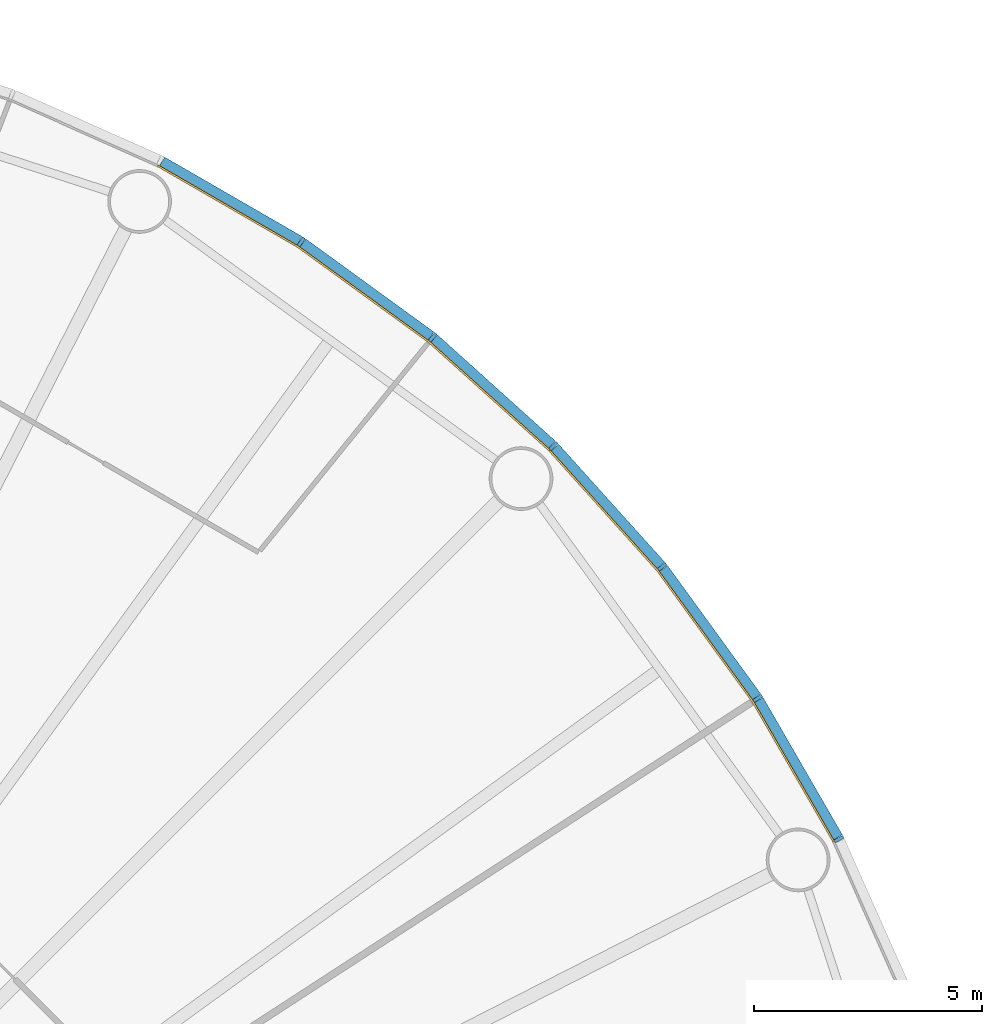
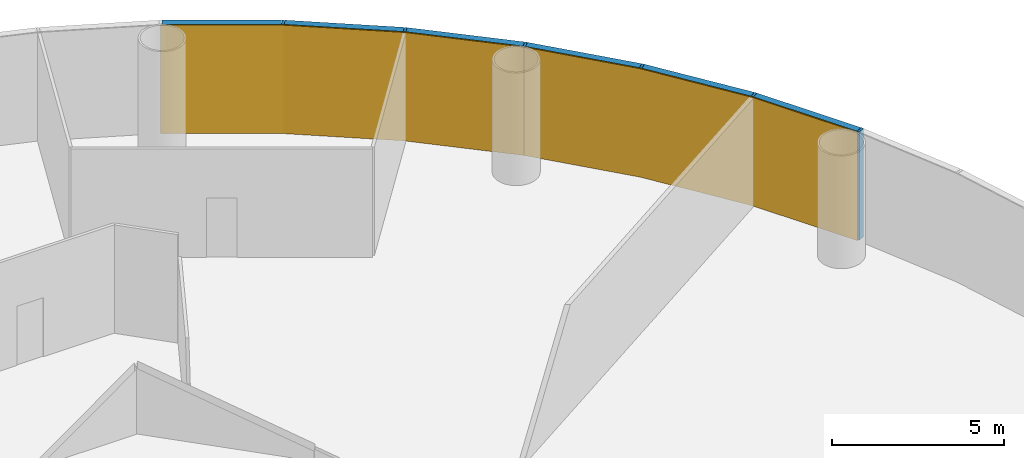
# One storey, part 10 of 13: 12 members, 2 curtain walls.
"""IFC4 building model written with IfcOpenShell, lengths in metres."""

from ifc_helpers import new_model, si_unit, direction, frame, origin, origin_2d, place, context, subcontext, project, spatial, polyline, rectangle, outline, extrude, material, layer, layer_set, material_profile, profile_set, type_object, element, aggregate, save


model = new_model("IFC4")

# Units and contexts
model_context = context("Model", 3, precision=1e-05, world=origin(), true_north=direction((0.0, 1.0)))
body_context = subcontext(model_context, "Body", "Model", "MODEL_VIEW")
ifc_project = project(units=[si_unit("LENGTHUNIT", "METRE"), si_unit("AREAUNIT", "SQUARE_METRE"), si_unit("VOLUMEUNIT", "CUBIC_METRE"), si_unit("PLANEANGLEUNIT", "RADIAN"), si_unit("MASSUNIT", "GRAM", prefix="KILO")], contexts=[model_context])

# Member
ifc_material_1 = material(Name="Anodised aluminium", Category="aluminium")
ifc_material_profile_1 = material_profile(ifc_material_1, rectangle(XDim=0.074951171875, YDim=0.219970703125, at=origin_2d()), Name="Mullion 75 x 220 mm anodised aluminium")
ifc_profile_set_1 = profile_set([ifc_material_profile_1], Name="Anodised aluminium")
member_type_1 = type_object("IfcMemberType", Name="Mullion 75 x 220 mm anodised aluminium", PredefinedType="MULLION", material=ifc_profile_set_1)
site_placement = place(None, origin())
building_placement = place(site_placement, origin())
storey_placement = place(building_placement, frame((0.0, 0.0, 30.0)))
member_1_placement = place(storey_placement, frame((120.392333984375, 95.485595703125, 0.0), z_axis=(0.0, 0.0, 1.0), x_axis=(-0.45399049974, 0.891006524188, 0.0)))
member_1 = element("IfcMember", 1, at=member_1_placement, type_object=member_type_1, Name="MULLION L05-03", PredefinedType="MULLION", context=body_context, shape_type="SweptSolid", body=[
    extrude(rectangle(XDim=0.074951171875, YDim=0.219970703125, at=origin_2d()), origin(), (0.0, 0.0, 1.0), 3.85009765625),
])

member_2_placement = place(storey_placement, frame((118.60693359375, 98.57763671875, 0.0), z_axis=(0.0, 0.0, 1.0), x_axis=(-0.544639035015, 0.838670567945, 0.0)))
member_2 = element("IfcMember", 2, at=member_2_placement, type_object=member_type_1, Name="MULLION L05-04", PredefinedType="MULLION", context=body_context, shape_type="SweptSolid", body=[
    extrude(rectangle(XDim=0.074951171875, YDim=0.219970703125, at=origin_2d()), origin(), (0.0, 0.0, 1.0), 3.85009765625),
])

member_3_placement = place(storey_placement, frame((116.508544921875, 101.466064453125, 0.0), z_axis=(0.0, 0.0, 1.0), x_axis=(-0.62932039105, 0.777145961457, 0.0)))
member_3 = element("IfcMember", 3, at=member_3_placement, type_object=member_type_1, Name="MULLION L05-05", PredefinedType="MULLION", context=body_context, shape_type="SweptSolid", body=[
    extrude(rectangle(XDim=0.074951171875, YDim=0.219970703125, at=origin_2d()), origin(), (0.0, 0.0, 1.0), 3.85009765625),
])

member_4_placement = place(storey_placement, frame((114.119384765625, 104.119384765625, 0.0), z_axis=(0.0, 0.0, 1.0), x_axis=(-0.707106781187, 0.707106781187, 0.0)))
member_4 = element("IfcMember", 4, at=member_4_placement, type_object=member_type_1, Name="MULLION L05-06", PredefinedType="MULLION", context=body_context, shape_type="SweptSolid", body=[
    extrude(rectangle(XDim=0.074951171875, YDim=0.219970703125, at=origin_2d()), origin(), (0.0, 0.0, 1.0), 3.85009765625),
])

member_5_placement = place(storey_placement, frame((111.466064453125, 106.508544921875, 0.0), z_axis=(0.0, 0.0, 1.0), x_axis=(-0.777145961457, 0.62932039105, 0.0)))
member_5 = element("IfcMember", 5, at=member_5_placement, type_object=member_type_1, Name="MULLION L05-07", PredefinedType="MULLION", context=body_context, shape_type="SweptSolid", body=[
    extrude(rectangle(XDim=0.074951171875, YDim=0.219970703125, at=origin_2d()), origin(), (0.0, 0.0, 1.0), 3.85009765625),
])

member_6_placement = place(storey_placement, frame((108.57763671875, 108.60693359375, 0.0), z_axis=(0.0, 0.0, 1.0), x_axis=(-0.838670567945, 0.544639035015, 0.0)))
member_6 = element("IfcMember", 6, at=member_6_placement, type_object=member_type_1, Name="MULLION L05-08", PredefinedType="MULLION", context=body_context, shape_type="SweptSolid", body=[
    extrude(rectangle(XDim=0.074951171875, YDim=0.219970703125, at=origin_2d()), origin(), (0.0, 0.0, 1.0), 3.85009765625),
])

ifc_material_2 = material(Name="Anodised aluminium", Category="aluminium")
ifc_material_profile_2 = material_profile(ifc_material_2, rectangle(XDim=0.219970703125, YDim=0.199951171875, at=origin_2d()), Name="Transom 200 x 220 mm anodised aluminium")
ifc_profile_set_2 = profile_set([ifc_material_profile_2], Name="Anodised aluminium")
member_type_2 = type_object("IfcMemberType", Name="Transom 200 x 220 mm anodised aluminium", PredefinedType="USERDEFINED", material=ifc_profile_set_2)
member_7_placement = place(storey_placement, frame((120.370849609375, 95.523193359375, 3.75), z_axis=(-0.500005538244, 0.866022206254, 0.0), x_axis=(-0.866022206254, -0.500005538244, 0.0)))
member_7 = element("IfcMember", 7, at=member_7_placement, type_object=member_type_2, Name="TRANSOM L05-03", ObjectType="TRANSOM", PredefinedType="USERDEFINED", context=body_context, shape_type="SweptSolid", body=[
    extrude(rectangle(XDim=0.219970703125, YDim=0.199951171875, at=origin_2d()), origin(), (0.0, 0.0, 1.0), 3.48388671875),
])

member_8_placement = place(storey_placement, frame((118.581787109375, 98.61279296875, 3.75), z_axis=(-0.587821627006, 0.80899056535, 0.0), x_axis=(-0.80899056535, -0.587821627006, 0.0)))
member_8 = element("IfcMember", 8, at=member_8_placement, type_object=member_type_2, Name="TRANSOM L05-04", ObjectType="TRANSOM", PredefinedType="USERDEFINED", context=body_context, shape_type="SweptSolid", body=[
    extrude(rectangle(XDim=0.219970703125, YDim=0.199951171875, at=origin_2d()), origin(), (0.0, 0.0, 1.0), 3.48388671875),
])

member_9_placement = place(storey_placement, frame((116.479736328125, 101.498291015625, 3.75), z_axis=(-0.669138930974, 0.743137329876, 0.0), x_axis=(-0.743137329876, -0.669138930974, 0.0)))
member_9 = element("IfcMember", 9, at=member_9_placement, type_object=member_type_2, Name="TRANSOM L05-05", ObjectType="TRANSOM", PredefinedType="USERDEFINED", context=body_context, shape_type="SweptSolid", body=[
    extrude(rectangle(XDim=0.219970703125, YDim=0.199951171875, at=origin_2d()), origin(), (0.0, 0.0, 1.0), 3.484130859375),
])

member_10_placement = place(storey_placement, frame((114.08740234375, 104.1484375, 3.75), z_axis=(-0.743137329876, 0.669138930974, 0.0), x_axis=(-0.669138930974, -0.743137329876, 0.0)))
member_10 = element("IfcMember", 10, at=member_10_placement, type_object=member_type_2, Name="TRANSOM L05-06", ObjectType="TRANSOM", PredefinedType="USERDEFINED", context=body_context, shape_type="SweptSolid", body=[
    extrude(rectangle(XDim=0.219970703125, YDim=0.199951171875, at=origin_2d()), origin(), (0.0, 0.0, 1.0), 3.484130859375),
])

member_11_placement = place(storey_placement, frame((111.43115234375, 106.533935546875, 3.75), z_axis=(-0.80899056535, 0.587821627006, 0.0), x_axis=(-0.587821627006, -0.80899056535, 0.0)))
member_11 = element("IfcMember", 11, at=member_11_placement, type_object=member_type_2, Name="TRANSOM L05-07", ObjectType="TRANSOM", PredefinedType="USERDEFINED", context=body_context, shape_type="SweptSolid", body=[
    extrude(rectangle(XDim=0.219970703125, YDim=0.199951171875, at=origin_2d()), origin(), (0.0, 0.0, 1.0), 3.48388671875),
])

member_12_placement = place(storey_placement, frame((108.540283203125, 108.62890625, 3.75), z_axis=(-0.866022206254, 0.500005538244, 0.0), x_axis=(-0.500005538244, -0.866022206254, 0.0)))
member_12 = element("IfcMember", 12, at=member_12_placement, type_object=member_type_2, Name="TRANSOM L05-08", ObjectType="TRANSOM", PredefinedType="USERDEFINED", context=body_context, shape_type="SweptSolid", body=[
    extrude(rectangle(XDim=0.219970703125, YDim=0.199951171875, at=origin_2d()), origin(), (0.0, 0.0, 1.0), 3.48388671875),
])

# Site, building, storey
site = spatial("IfcSite", under=ifc_project, at=site_placement, CompositionType="ELEMENT")
building = spatial("IfcBuilding", under=site, at=building_placement, Name="Entoto Ring Tower", CompositionType="ELEMENT")
storey = spatial("IfcBuildingStorey", under=building, at=storey_placement, Name="L05", CompositionType="ELEMENT", Elevation=30.0)

# Curtain wall
ifc_material_3 = material(Name="Clear low-iron glass", Category="glass")
ifc_layer = layer(ifc_material_3, 0.0400390625)
ifc_layer_set = layer_set([ifc_layer], Name="Clear low-iron glass")
curtain_wall_type = type_object("IfcCurtainWallType", Name="Curtain wall system CW1 glazing 40 mm", PredefinedType="NOTDEFINED", material=ifc_layer_set)
curtain_wall_1_placement = place(storey_placement, origin())
curtain_wall_1 = element("IfcCurtainWall", 13, at=curtain_wall_1_placement, inside=storey, type_object=curtain_wall_type, Name="CW1 L05-02", PredefinedType="NOTDEFINED", context=body_context, shape_type="SweptSolid", body=[
    extrude(outline(polyline([(120.294189453125, 95.435791015625), (118.514892578125, 98.517822265625), (116.4228515625, 101.39697265625), (114.041748046875, 104.041748046875), (114.013427734375, 104.013427734375), (116.391845703125, 101.37158203125), (118.481201171875, 98.495849609375), (120.258544921875, 95.41748046875), (120.294189453125, 95.435791015625)])), origin(), (0.0, 0.0, 1.0), 3.85009765625),
])

aggregate(curtain_wall_1, [member_1, member_2, member_3, member_7, member_8, member_9])

curtain_wall_2_placement = place(storey_placement, origin())
curtain_wall_2 = element("IfcCurtainWall", 14, at=curtain_wall_2_placement, inside=storey, type_object=curtain_wall_type, Name="CW1 L05-03", PredefinedType="NOTDEFINED", context=body_context, shape_type="SweptSolid", body=[
    extrude(outline(polyline([(114.041748046875, 104.041748046875), (111.39697265625, 106.4228515625), (108.517822265625, 108.514892578125), (105.435791015625, 110.294189453125), (105.41748046875, 110.258544921875), (108.495849609375, 108.481201171875), (111.37158203125, 106.391845703125), (114.013427734375, 104.013427734375), (114.041748046875, 104.041748046875)])), origin(), (0.0, 0.0, 1.0), 3.85009765625),
])

aggregate(curtain_wall_2, [member_4, member_5, member_6, member_10, member_11, member_12])

save(model, "model.ifc")
